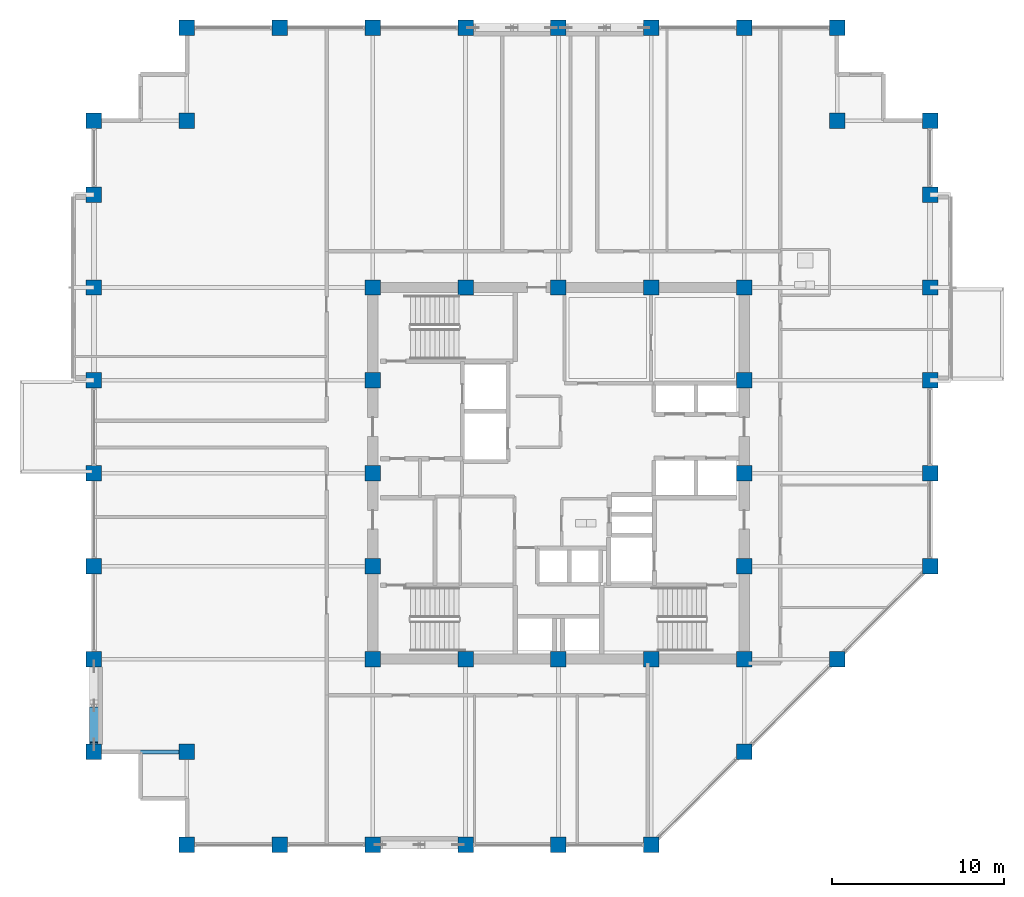
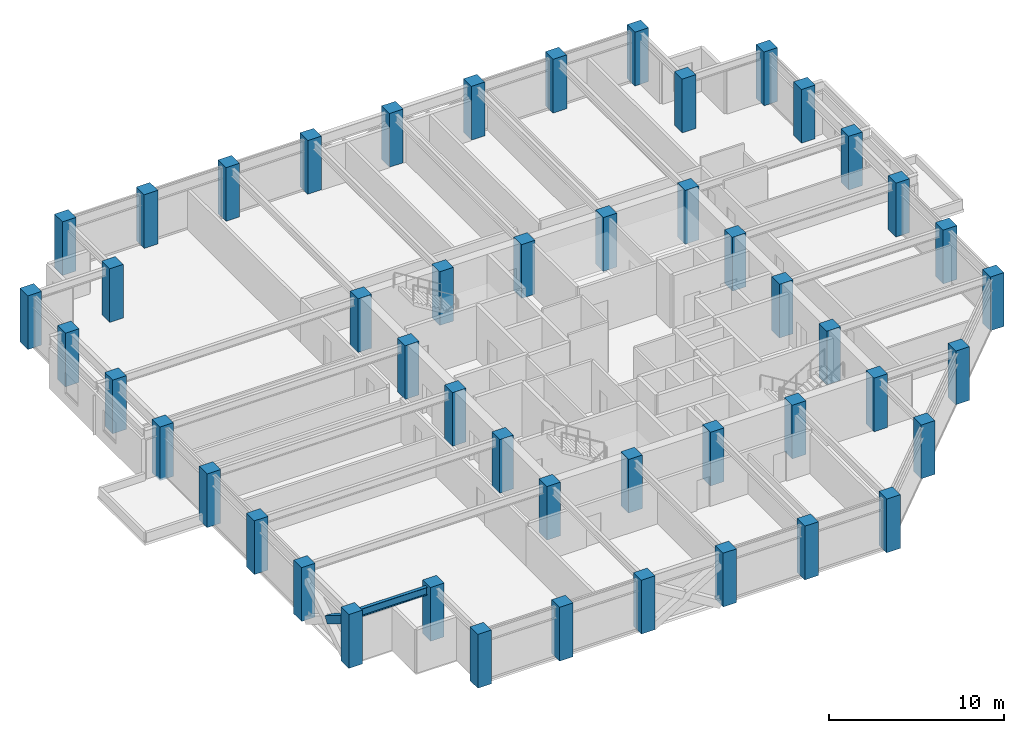
# One storey, part 1 of 28: 49 columns, 1 beam, 1 member.
"""IFC4 building model written with IfcOpenShell, lengths in metres."""

from ifc_helpers import new_model, si_unit, direction, frame, origin, origin_2d, place, context, subcontext, project, spatial, rectangle, hollow_rectangle, i_section, extrude, material, material_profile, profile_set, type_object, element, save


model = new_model("IFC4")

# Units and contexts
model_context = context("Model", 3, precision=1e-05, world=origin(), true_north=direction((0.0, 1.0)))
body_context = subcontext(model_context, "Body", "Model", "MODEL_VIEW")
ifc_project = project(units=[si_unit("LENGTHUNIT", "METRE"), si_unit("AREAUNIT", "SQUARE_METRE"), si_unit("VOLUMEUNIT", "CUBIC_METRE"), si_unit("PLANEANGLEUNIT", "RADIAN"), si_unit("MASSUNIT", "GRAM", prefix="KILO")], contexts=[model_context])

# Site, building, storey
site_placement = place(None, origin())
site = spatial("IfcSite", under=ifc_project, at=site_placement, CompositionType="ELEMENT")
building_placement = place(site_placement, origin())
building = spatial("IfcBuilding", under=site, at=building_placement, Name="Surkhivell Harbour Commons", CompositionType="ELEMENT")
storey_placement = place(building_placement, frame((0.0, 0.0, 182.25)))
storey = spatial("IfcBuildingStorey", under=building, at=storey_placement, Name="L47", CompositionType="ELEMENT", Elevation=182.25)

# Columns
ifc_material_1 = material(Name="Concrete C60/75", Category="concrete")
ifc_material_profile_1 = material_profile(ifc_material_1, rectangle(XDim=0.89990234375, YDim=0.89990234375, at=origin_2d()), Name="RC-COL-900x900")
ifc_profile_set_1 = profile_set([ifc_material_profile_1], Name="Concrete C60/75")
column_type = type_object("IfcColumnType", Name="COL-TUBE-Z3A", PredefinedType="COLUMN", material=ifc_profile_set_1)
for number, where, z_axis, x_axis, name in (
    (1, (-27.0, -16.199951171875, 0.0), (0.0, 0.0, 1.0), (1.0, 0.0, 0.0), "L47 Column CT-3A (-27.0,-16.2)"),
    (2, (-27.0, -10.800048828125, 0.0), (0.0, 0.0, 1.0), (1.0, 0.0, 0.0), "L47 Column CT-3A (-27.0,-10.8)"),
    (3, (-27.0, -5.39990234375, 0.0), (0.0, 0.0, 1.0), (1.0, 0.0, 0.0), "L47 Column CT-3A (-27.0,-5.4)"),
    (4, (-27.0, 0.0, 0.0), (0.0, 0.0, 1.0), (1.0, 0.0, 0.0), "L47 Column CT-3A (-27.0,0.0)"),
    (5, (-27.0, 5.39990234375, 0.0), (0.0, 0.0, 1.0), (1.0, 0.0, 0.0), "L47 Column CT-3A (-27.0,5.4)"),
    (6, (-27.0, 10.800048828125, 0.0), (0.0, 0.0, 1.0), (1.0, 0.0, 0.0), "L47 Column CT-3A (-27.0,10.8)"),
    (7, (-27.0, 16.199951171875, 0.0), (0.0, 0.0, 1.0), (1.0, 0.0, 0.0), "L47 Column CT-3A (-27.0,16.2)"),
    (8, (-27.0, 20.5, 0.0), (0.0, 0.0, 1.0), (1.0, 0.0, 0.0), "L47 Column CT-3A (-27.0,20.5)"),
    (9, (-21.60009765625, -21.60009765625, 0.0), (0.0, 0.0, 1.0), (1.0, 0.0, 0.0), "L47 Column CT-3A (-21.6,-21.6)"),
    (10, (-21.60009765625, -16.199951171875, 0.0), (0.0, 0.0, 1.0), (1.0, 0.0, 0.0), "L47 Column CT-3A (-21.6,-16.2)"),
    (11, (-21.60009765625, 20.5, 0.0), (0.0, 0.0, 1.0), (1.0, 0.0, 0.0), "L47 Column CT-3A (-21.6,20.5)"),
    (12, (-21.60009765625, 25.89990234375, 0.0), (0.0, 0.0, 1.0), (1.0, 0.0, 0.0), "L47 Column CT-3A (-21.6,25.9)"),
    (13, (-16.199951171875, -21.60009765625, 0.0), (0.0, 0.0, 1.0), (1.0, 0.0, 0.0), "L47 Column CT-3A (-16.2,-21.6)"),
    (14, (-16.199951171875, 25.89990234375, 0.0), (0.0, 0.0, 1.0), (1.0, 0.0, 0.0), "L47 Column CT-3A (-16.2,25.9)"),
    (15, (-10.800048828125, -21.60009765625, 0.0), (0.0, 0.0, 1.0), (1.0, 0.0, 0.0), "L47 Column CT-3A (-10.8,-21.6)"),
    (16, (-10.800048828125, -10.800048828125, 0.0), (0.0, 0.0, 1.0), (1.0, 0.0, 0.0), "L47 Column CT-3A (-10.8,-10.8)"),
    (17, (-10.800048828125, -5.39990234375, 0.0), (0.0, 0.0, 1.0), (1.0, 0.0, 0.0), "L47 Column CT-3A (-10.8,-5.4)"),
    (18, (-10.800048828125, 0.0, 0.0), (0.0, 0.0, 1.0), (1.0, 0.0, 0.0), "L47 Column CT-3A (-10.8,0.0)"),
    (19, (-10.800048828125, 5.39990234375, 0.0), (0.0, 0.0, 1.0), (1.0, 0.0, 0.0), "L47 Column CT-3A (-10.8,5.4)"),
    (20, (-10.800048828125, 10.800048828125, 0.0), (0.0, 0.0, 1.0), (1.0, 0.0, 0.0), "L47 Column CT-3A (-10.8,10.8)"),
    (21, (-10.800048828125, 25.89990234375, 0.0), (0.0, 0.0, 1.0), (1.0, 0.0, 0.0), "L47 Column CT-3A (-10.8,25.9)"),
    (22, (-5.39990234375, -21.60009765625, 0.0), (0.0, 0.0, 1.0), (1.0, 0.0, 0.0), "L47 Column CT-3A (-5.4,-21.6)"),
    (23, (-5.39990234375, -10.800048828125, 0.0), (0.0, 0.0, 1.0), (1.0, 0.0, 0.0), "L47 Column CT-3A (-5.4,-10.8)"),
    (24, (-5.39990234375, 10.800048828125, 0.0), (0.0, 0.0, 1.0), (1.0, 0.0, 0.0), "L47 Column CT-3A (-5.4,10.8)"),
    (25, (-5.39990234375, 25.89990234375, 0.0), (0.0, 0.0, 1.0), (1.0, 0.0, 0.0), "L47 Column CT-3A (-5.4,25.9)"),
    (26, (0.0, -21.60009765625, 0.0), (0.0, 0.0, 1.0), (1.0, 0.0, 0.0), "L47 Column CT-3A (-0.0,-21.6)"),
    (27, (0.0, -10.800048828125, 0.0), (0.0, 0.0, 1.0), (1.0, 0.0, 0.0), "L47 Column CT-3A (0.0,-10.8)"),
    (28, (0.0, 10.800048828125, 0.0), (0.0, 0.0, 1.0), (1.0, 0.0, 0.0), "L47 Column CT-3A (0.0,10.8)"),
    (29, (0.0, 25.89990234375, 0.0), (0.0, 0.0, 1.0), (1.0, 0.0, 0.0), "L47 Column CT-3A (-0.0,25.9)"),
    (30, (5.39990234375, -21.60009765625, 0.0), (0.0, 0.0, 1.0), (1.0, 0.0, 0.0), "L47 Column CT-3A (5.4,-21.6)"),
    (31, (5.39990234375, -10.800048828125, 0.0), (0.0, 0.0, 1.0), (1.0, 0.0, 0.0), "L47 Column CT-3A (5.4,-10.8)"),
    (32, (5.39990234375, 10.800048828125, 0.0), (0.0, 0.0, 1.0), (1.0, 0.0, 0.0), "L47 Column CT-3A (5.4,10.8)"),
    (33, (5.39990234375, 25.89990234375, 0.0), (0.0, 0.0, 1.0), (1.0, 0.0, 0.0), "L47 Column CT-3A (5.4,25.9)"),
    (34, (10.800048828125, -16.199951171875, 0.0), (0.0, 0.0, 1.0), (1.0, 0.0, 0.0), "L47 Column CT-3A (10.8,-16.2)"),
    (35, (10.800048828125, -10.800048828125, 0.0), (0.0, 0.0, 1.0), (1.0, 0.0, 0.0), "L47 Column CT-3A (10.8,-10.8)"),
    (36, (10.800048828125, -5.39990234375, 0.0), (0.0, 0.0, 1.0), (1.0, 0.0, 0.0), "L47 Column CT-3A (10.8,-5.4)"),
    (37, (10.800048828125, 0.0, 0.0), (0.0, 0.0, 1.0), (1.0, 0.0, 0.0), "L47 Column CT-3A (10.8,0.0)"),
    (38, (10.800048828125, 5.39990234375, 0.0), (0.0, 0.0, 1.0), (1.0, 0.0, 0.0), "L47 Column CT-3A (10.8,5.4)"),
    (39, (10.800048828125, 10.800048828125, 0.0), (0.0, 0.0, 1.0), (1.0, 0.0, 0.0), "L47 Column CT-3A (10.8,10.8)"),
    (40, (10.800048828125, 25.89990234375, 0.0), (0.0, 0.0, 1.0), (1.0, 0.0, 0.0), "L47 Column CT-3A (10.8,25.9)"),
    (41, (16.199951171875, -10.800048828125, 0.0), (0.0, 0.0, 1.0), (1.0, 0.0, 0.0), "L47 Column CT-3A (16.2,-10.8)"),
    (42, (16.199951171875, 20.5, 0.0), (0.0, 0.0, 1.0), (1.0, 0.0, 0.0), "L47 Column CT-3A (16.2,20.5)"),
    (43, (16.199951171875, 25.89990234375, 0.0), (0.0, 0.0, 1.0), (1.0, 0.0, 0.0), "L47 Column CT-3A (16.2,25.9)"),
    (44, (21.60009765625, -5.39990234375, 0.0), (0.0, 0.0, 1.0), (1.0, 0.0, 0.0), "L47 Column CT-3A (21.6,-5.4)"),
    (45, (21.60009765625, 0.0, 0.0), (0.0, 0.0, 1.0), (1.0, 0.0, 0.0), "L47 Column CT-3A (21.6,0.0)"),
    (46, (21.60009765625, 5.39990234375, 0.0), (0.0, 0.0, 1.0), (1.0, 0.0, 0.0), "L47 Column CT-3A (21.6,5.4)"),
    (47, (21.60009765625, 10.800048828125, 0.0), (0.0, 0.0, 1.0), (1.0, 0.0, 0.0), "L47 Column CT-3A (21.6,10.8)"),
    (48, (21.60009765625, 16.199951171875, 0.0), (0.0, 0.0, 1.0), (1.0, 0.0, 0.0), "L47 Column CT-3A (21.6,16.2)"),
    (49, (21.60009765625, 20.5, 0.0), (0.0, 0.0, 1.0), (1.0, 0.0, 0.0), "L47 Column CT-3A (21.6,20.5)"),
):
    element("IfcColumn", number, at=place(storey_placement, frame(where, z_axis=z_axis, x_axis=x_axis)), inside=storey, type_object=column_type, Name=name, PredefinedType="COLUMN", context=body_context, shape_type="SweptSolid", body=[
        extrude(rectangle(XDim=0.89990234375, YDim=0.89990234375, at=origin_2d()), origin(), (0.0, 0.0, 1.0), 3.75),
    ])

# Beam
ifc_material_2 = material(Name="Steel S355", Category="steel")
ifc_material_profile_2 = material_profile(ifc_material_2, i_section(OverallWidth=0.2119140625, OverallDepth=0.5439453125, WebThickness=0.0126953125, FlangeThickness=0.021240234375, at=origin_2d()), Name="UB533x210x122")
ifc_profile_set_2 = profile_set([ifc_material_profile_2], Name="Steel S355")
beam_type = type_object("IfcBeamType", Name="BM-GRD-533A", PredefinedType="BEAM", material=ifc_profile_set_2)
beam_placement = place(storey_placement, frame((-27.0, -16.199951171875, 3.298095703125), z_axis=(1.0, 0.0, 0.0), x_axis=(0.0, 1.0, 0.0)))
element("IfcBeam", 50, at=beam_placement, inside=storey, type_object=beam_type, Name="L47 Floor Girder (-27.0,-16.2)", PredefinedType="BEAM", context=body_context, shape_type="SweptSolid", body=[
    extrude(i_section(OverallWidth=0.2119140625, OverallDepth=0.5439453125, WebThickness=0.0126953125, FlangeThickness=0.021240234375, at=origin_2d()), origin(), (0.0, 0.0, 1.0), 5.39990234375),
])

# Member
ifc_material_3 = material(Name="Steel S460", Category="steel")
ifc_material_profile_3 = material_profile(ifc_material_3, hollow_rectangle(XDim=0.5, YDim=0.5, WallThickness=0.02490234375, at=origin_2d()), Name="SHS500x500x25")
ifc_profile_set_3 = profile_set([ifc_material_profile_3], Name="Steel S460")
member_type = type_object("IfcMemberType", Name="MEM-BRC-SHS500", PredefinedType="BRACE", material=ifc_profile_set_3)
member_placement = place(storey_placement, frame((-27.0, -13.7041015625, 1.531982421875), z_axis=(0.0, -0.850958361341, 0.525233155146), x_axis=(1.0, 0.0, 0.0)))
element("IfcMember", 51, at=member_placement, inside=storey, type_object=member_type, Name="L47 Perimeter Mega-Brace MB- 12", PredefinedType="BRACE", context=body_context, shape_type="SweptSolid", body=[
    extrude(hollow_rectangle(XDim=0.5, YDim=0.5, WallThickness=0.02490234375, at=origin_2d()), origin(), (0.0, 0.0, 1.0), 2.421630859375),
])

save(model, "model.ifc")
